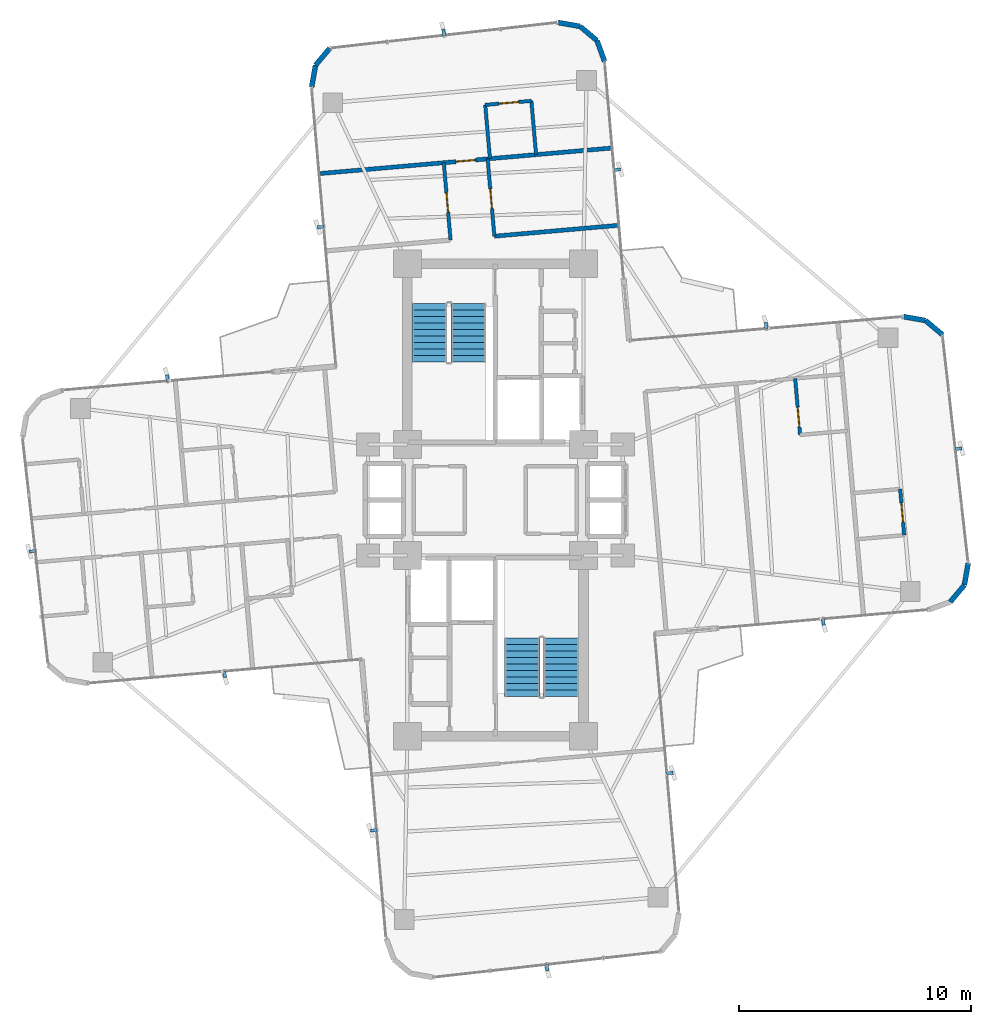
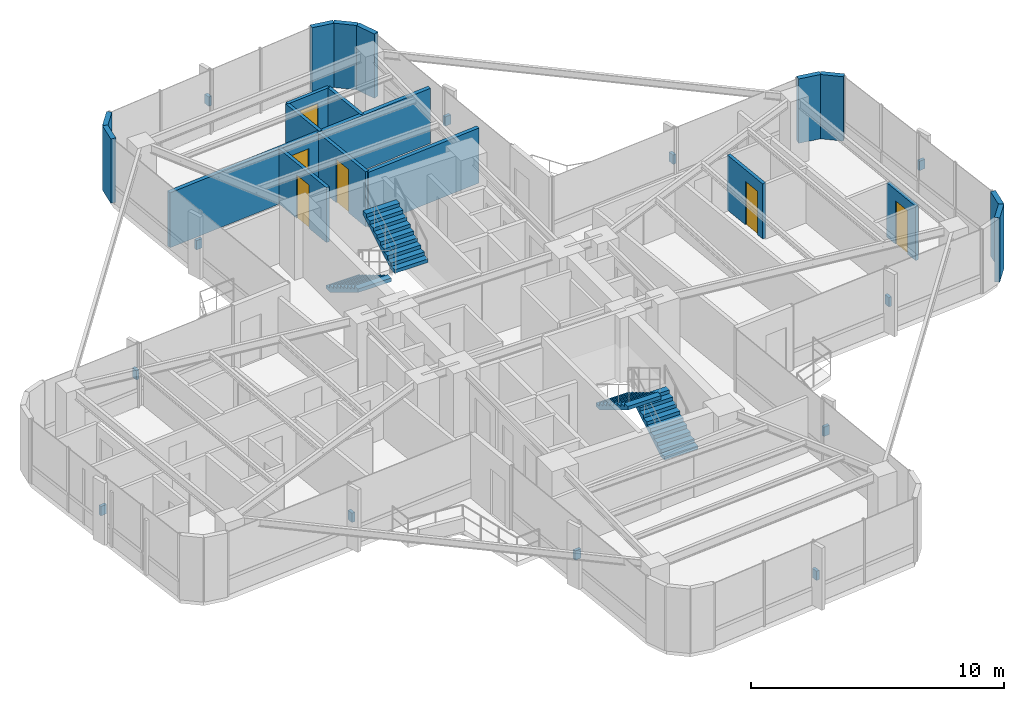
# One storey, part 23 of 24: 18 walls, 12 discrete accessories, 6 doors, 4 stair flights, 6 openings, 2 elements without a shape of their own.
"""IFC4 building model written with IfcOpenShell, lengths in metres."""

from ifc_helpers import new_model, si_unit, direction, frame, frame_2d, origin, origin_2d, place, context, subcontext, project, spatial, polyline, rectangle, outline, extrude, source, transform, mapped, material, layer, layer_set, type_object, element, fill, aggregate, save


model = new_model("IFC4")

# Units and contexts
model_context = context("Model", 3, precision=1e-05, world=origin(), true_north=direction((0.0, 1.0)))
body_context = subcontext(model_context, "Body", "Model", "MODEL_VIEW")
ifc_project = project(units=[si_unit("LENGTHUNIT", "METRE"), si_unit("AREAUNIT", "SQUARE_METRE"), si_unit("VOLUMEUNIT", "CUBIC_METRE"), si_unit("PLANEANGLEUNIT", "RADIAN"), si_unit("MASSUNIT", "GRAM", prefix="KILO")], contexts=[model_context])

# Site, building, storey
site_placement = place(None, origin())
site = spatial("IfcSite", under=ifc_project, at=site_placement, CompositionType="ELEMENT")
building_placement = place(site_placement, origin())
building = spatial("IfcBuilding", under=site, at=building_placement, Name="Sahyath Konkavel Grand Hotel", CompositionType="ELEMENT")
storey_placement = place(building_placement, frame((0.0, 0.0, 153.949951171875)))
storey = spatial("IfcBuildingStorey", under=building, at=storey_placement, Name="L42", CompositionType="ELEMENT", Elevation=153.949951171875)

# Walls
ifc_material_1 = material(Name="Warm Buff Sandstone Insulated Concrete C40/50", Category="masonry")
ifc_layer_1 = layer(ifc_material_1, 0.219970703125)
ifc_layer_set_1 = layer_set([ifc_layer_1], Name="Warm Buff Sandstone Insulated Concrete C40/50")
wall_type_1 = type_object("IfcWallType", Name="WLL-BALC-THRESH", PredefinedType="STANDARD", material=ifc_layer_set_1)
for number, where, z_axis, x_axis, name in (
    (1, (19.6337890625, -4.40771484375, 0.0), (0.0, 0.0, 1.0), (0.642863236823, 0.765980978054, 0.0), "L42 Rounded Corner Sandstone Pier 2"),
    (2, (20.24951171875, -3.674072265625, 0.0), (0.0, 0.0, 1.0), (0.173610811841, 0.984814340885, 0.0), "L42 Rounded Corner Sandstone Pier 3"),
):
    element("IfcWall", number, at=place(storey_placement, frame(where, z_axis=z_axis, x_axis=x_axis)), inside=storey, type_object=wall_type_1, Name=name, PredefinedType="STANDARD", context=body_context, shape_type="SweptSolid", body=[
        extrude(rectangle(XDim=0.957763671875, YDim=0.219970703125, at=frame_2d((0.47900390625, 0.0))), origin(), (0.0, 0.0, 1.0), 3.110107421875),
    ])
wall_1_placement = place(storey_placement, frame((19.3037109375, 7.134521484375, 0.0), z_axis=(0.0, 0.0, 1.0), x_axis=(-0.766001159887, 0.642839189107, 0.0)))
element("IfcWall", 3, at=wall_1_placement, inside=storey, type_object=wall_type_1, Name="L42 Rounded Corner Sandstone Pier 5", PredefinedType="STANDARD", context=body_context, shape_type="SweptSolid", body=[
    extrude(rectangle(XDim=0.95751953125, YDim=0.219970703125, at=frame_2d((0.478759765625, 0.0))), origin(), (0.0, 0.0, 1.0), 3.110107421875),
])
wall_2_placement = place(storey_placement, frame((18.5703125, 7.75, 0.0), z_axis=(0.0, 0.0, 1.0), x_axis=(-0.984770724397, 0.173858046606, 0.0)))
element("IfcWall", 4, at=wall_2_placement, inside=storey, type_object=wall_type_1, Name="L42 Rounded Corner Sandstone Pier 6", PredefinedType="STANDARD", context=body_context, shape_type="SweptSolid", body=[
    extrude(rectangle(XDim=0.957763671875, YDim=0.219970703125, at=frame_2d((0.47900390625, 0.0))), origin(), (0.0, 0.0, 1.0), 3.110107421875),
])
wall_3_placement = place(storey_placement, frame((4.7177734375, 18.93310546875, 0.0), z_axis=(0.0, 0.0, 1.0), x_axis=(-0.34188635151, 0.939741306239, 0.0)))
element("IfcWall", 5, at=wall_3_placement, inside=storey, type_object=wall_type_1, Name="L42 Rounded Corner Sandstone Pier 9", PredefinedType="STANDARD", context=body_context, shape_type="SweptSolid", body=[
    extrude(rectangle(XDim=0.95751953125, YDim=0.219970703125, at=frame_2d((0.478759765625, 0.0))), origin(), (0.0, 0.0, 1.0), 3.110107421875),
])
for number, where, z_axis, x_axis, name in (
    (6, (4.390380859375, 19.8330078125, 0.0), (0.0, 0.0, 1.0), (-0.765980978054, 0.642863236823, 0.0), "L42 Rounded Corner Sandstone Pier 10"),
    (7, (3.65673828125, 20.44873046875, 0.0), (0.0, 0.0, 1.0), (-0.984814340885, 0.173610811841, 0.0), "L42 Rounded Corner Sandstone Pier 11"),
):
    element("IfcWall", number, at=place(storey_placement, frame(where, z_axis=z_axis, x_axis=x_axis)), inside=storey, type_object=wall_type_1, Name=name, PredefinedType="STANDARD", context=body_context, shape_type="SweptSolid", body=[
        extrude(rectangle(XDim=0.957763671875, YDim=0.219970703125, at=frame_2d((0.47900390625, 0.0))), origin(), (0.0, 0.0, 1.0), 3.110107421875),
    ])
for number, where, z_axis, x_axis, name in (
    (8, (-7.152099609375, 19.5029296875, 0.0), (0.0, 0.0, 1.0), (-0.642713642115, -0.766106503196, 0.0), "L42 Rounded Corner Sandstone Pier 13"),
    (9, (-7.767578125, 18.769287109375, 0.0), (0.0, 0.0, 1.0), (-0.173654409999, -0.984806654064, 0.0), "L42 Rounded Corner Sandstone Pier 14"),
):
    element("IfcWall", number, at=place(storey_placement, frame(where, z_axis=z_axis, x_axis=x_axis)), inside=storey, type_object=wall_type_1, Name=name, PredefinedType="STANDARD", context=body_context, shape_type="SweptSolid", body=[
        extrude(rectangle(XDim=0.95751953125, YDim=0.219970703125, at=frame_2d((0.478759765625, 0.0))), origin(), (0.0, 0.0, 1.0), 3.110107421875),
    ])
ifc_material_2 = material(Name="Twin-Stud Acoustic Gypsum Plasterboard Partition")
ifc_layer_2 = layer(ifc_material_2, 0.179931640625)
ifc_layer_set_2 = layer_set([ifc_layer_2], Name="Twin-Stud Acoustic Gypsum Plasterboard Partition")
wall_type_2 = type_object("IfcWallType", Name="WLL-DEMISE-180", PredefinedType="PARTITIONING", material=ifc_layer_set_2)
wall_4_placement = place(storey_placement, frame((5.286865234375, 11.85595703125, 0.0), z_axis=(0.0, 0.0, 1.0), x_axis=(-0.996194212812, -0.087161289348, 0.0)))
element("IfcWall", 10, at=wall_4_placement, inside=storey, type_object=wall_type_2, Name="L42 Partition N-INR", PredefinedType="PARTITIONING", context=body_context, shape_type="SweptSolid", body=[
    extrude(rectangle(XDim=5.349853515625, YDim=0.179931640625, at=frame_2d((2.6748046875, 0.0))), origin(), (0.0, 0.0, 1.0), 2.66015625),
])

# Wall, opening, door
wall_5_placement = place(storey_placement, frame((4.994873046875, 15.193115234375, 0.0), z_axis=(0.0, 0.0, 1.0), x_axis=(-0.996194790044, -0.087154691724, 0.0)))
wall_5 = element("IfcWall", 11, at=wall_5_placement, inside=storey, type_object=wall_type_2, Name="L42 Partition N-NTIP-END", PredefinedType="PARTITIONING", context=body_context, shape_type="SweptSolid", body=[
    extrude(rectangle(XDim=12.599853515625, YDim=0.179931640625, at=frame_2d((6.2998046875, 0.0))), origin(), (0.0, 0.0, 1.0), 2.66015625),
])
opening_1_placement = place(wall_5_placement, frame((5.875, 0.0, 0.0)))
opening_1 = element("IfcOpeningElement", 12, at=opening_1_placement, cuts=wall_5, Name="Opening D-F06D", PredefinedType="OPENING", context=body_context, shape_type="SweptSolid", body=[
    extrude(rectangle(XDim=0.85009765625, YDim=2.10009765625, at=frame_2d((0.425048828125, 1.050048828125))), frame((0.0, 0.10009765625, 0.0), z_axis=(0.0, -1.0, 0.0), x_axis=(1.0, 0.0, 0.0)), (0.0, 0.0, 1.0), 0.199951171875),
])
ifc_material_3 = material(Name="Fire-Rated Shaft Access Door")
door_type_1 = type_object("IfcDoorType", Name="DR-FD60-850", OperationType="NOTDEFINED", PredefinedType="DOOR", material=ifc_material_3)
shared_shape_1 = source(origin(), body_context, "Body", "SweptSolid", [
    extrude(rectangle(XDim=0.85009765625, YDim=0.050048828125, at=origin_2d()), origin(), (0.0, 0.0, 1.0), 2.10009765625),
])
door_1_placement = place(opening_1_placement, frame((0.425048828125, 0.0, 0.0)))
door_1 = element("IfcDoor", 13, at=door_1_placement, inside=storey, type_object=door_type_1, Name="L42 Door N-NTIP-ED", OperationType="SINGLE_SWING_RIGHT", OverallHeight=2.10009765625, OverallWidth=0.85009765625, PredefinedType="DOOR", context=body_context, shape_type="MappedRepresentation", body=[
    mapped(shared_shape_1, transform((0.0, 0.0, 0.0), scale=1.0)),
])
fill(opening_1, door_1)

ifc_material_4 = material(Name="Fire-Rated Gypsum Plasterboard Partition")
ifc_layer_3 = layer(ifc_material_4, 0.14990234375)
ifc_layer_set_3 = layer_set([ifc_layer_3], Name="Fire-Rated Gypsum Plasterboard Partition")
wall_type_3 = type_object("IfcWallType", Name="WLL-PART-150", PredefinedType="PARTITIONING", material=ifc_layer_set_3)
wall_6_placement = place(storey_placement, frame((12.94189453125, 5.247802734375, 0.0), z_axis=(0.0, 0.0, 1.0), x_axis=(0.087201565829, -0.99619068803, 0.0)))
wall_6 = element("IfcWall", 14, at=wall_6_placement, inside=storey, type_object=wall_type_3, Name="L42 Partition E-ED2-BS", PredefinedType="PARTITIONING", context=body_context, shape_type="SweptSolid", body=[
    extrude(rectangle(XDim=2.44970703125, YDim=0.14990234375, at=frame_2d((1.224853515625, 0.0))), origin(), (0.0, 0.0, 1.0), 2.66015625),
])
opening_2_placement = place(wall_6_placement, frame((1.25, 0.0, 0.0)))
opening_2 = element("IfcOpeningElement", 15, at=opening_2_placement, cuts=wall_6, Name="Opening D-BT85", PredefinedType="OPENING", context=body_context, shape_type="SweptSolid", body=[
    extrude(rectangle(XDim=0.85009765625, YDim=2.10009765625, at=frame_2d((0.425048828125, 1.050048828125))), frame((0.0, 0.0849609375, 0.0), z_axis=(0.0, -1.0, 0.0), x_axis=(1.0, 0.0, 0.0)), (0.0, 0.0, 1.0), 0.169921875),
])
ifc_material_5 = material(Name="Moisture-Resistant Teak Bathroom Door")
door_type_2 = type_object("IfcDoorType", Name="DR-BATH-850", OperationType="NOTDEFINED", PredefinedType="DOOR", material=ifc_material_5)
door_2_placement = place(opening_2_placement, frame((0.425048828125, 0.0, 0.0)))
door_2 = element("IfcDoor", 16, at=door_2_placement, inside=storey, type_object=door_type_2, Name="L42 Door E-ED2-BD", OperationType="SINGLE_SWING_LEFT", OverallHeight=2.10009765625, OverallWidth=0.85009765625, PredefinedType="DOOR", context=body_context, shape_type="MappedRepresentation", body=[
    mapped(shared_shape_1, transform((0.0, 0.0, 0.0), scale=1.0)),
])
fill(opening_2, door_2)

wall_7_placement = place(storey_placement, frame((17.6494140625, -1.517578125, 0.0), z_axis=(0.0, 0.0, 1.0), x_axis=(-0.087156350505, 0.99619464492, 0.0)))
wall_7 = element("IfcWall", 17, at=wall_7_placement, inside=storey, type_object=wall_type_3, Name="L42 Partition E-ETIP-BE", PredefinedType="PARTITIONING", context=body_context, shape_type="SweptSolid", body=[
    extrude(rectangle(XDim=2.0, YDim=0.14990234375, at=frame_2d((1.0, 0.0))), origin(), (0.0, 0.0, 1.0), 2.630126953125),
])
opening_3_placement = place(wall_7_placement, frame((0.550048828125, 0.0, 0.0)))
opening_3 = element("IfcOpeningElement", 18, at=opening_3_placement, cuts=wall_7, Name="Opening D-BT85", PredefinedType="OPENING", context=body_context, shape_type="SweptSolid", body=[
    extrude(rectangle(XDim=0.85009765625, YDim=2.10009765625, at=frame_2d((0.425048828125, 1.050048828125))), frame((0.0, 0.0849609375, 0.0), z_axis=(0.0, -1.0, 0.0), x_axis=(1.0, 0.0, 0.0)), (0.0, 0.0, 1.0), 0.169921875),
])
door_3_placement = place(opening_3_placement, frame((0.425048828125, 0.0, 0.0)))
door_3 = element("IfcDoor", 19, at=door_3_placement, inside=storey, type_object=door_type_2, Name="L42 Door E-ETIP-BD", OperationType="SINGLE_SWING_LEFT", OverallHeight=2.10009765625, OverallWidth=0.85009765625, PredefinedType="DOOR", context=body_context, shape_type="MappedRepresentation", body=[
    mapped(shared_shape_1, transform((0.0, 0.0, 0.0), scale=1.0)),
])
fill(opening_3, door_3)

wall_8_placement = place(storey_placement, frame((-1.935546875, 11.22412109375, 0.0), z_axis=(0.0, 0.0, 1.0), x_axis=(-0.087164238054, 0.996193954812, 0.0)))
wall_8 = element("IfcWall", 20, at=wall_8_placement, inside=storey, type_object=wall_type_3, Name="L42 Partition N-CL", PredefinedType="PARTITIONING", context=body_context, shape_type="SweptSolid", body=[
    extrude(rectangle(XDim=3.349853515625, YDim=0.14990234375, at=frame_2d((1.6748046875, 0.0))), origin(), (0.0, 0.0, 1.0), 2.66015625),
])
opening_4_placement = place(wall_8_placement, frame((1.199951171875, 0.0, 0.0)))
opening_4 = element("IfcOpeningElement", 21, at=opening_4_placement, cuts=wall_8, Name="Opening D-F06D", PredefinedType="OPENING", context=body_context, shape_type="SweptSolid", body=[
    extrude(rectangle(XDim=0.85009765625, YDim=2.10009765625, at=frame_2d((0.425048828125, 1.050048828125))), frame((0.0, 0.0849609375, 0.0), z_axis=(0.0, -1.0, 0.0), x_axis=(1.0, 0.0, 0.0)), (0.0, 0.0, 1.0), 0.169921875),
])
door_4_placement = place(opening_4_placement, frame((0.425048828125, 0.0, 0.0)))
door_4 = element("IfcDoor", 22, at=door_4_placement, inside=storey, type_object=door_type_1, Name="L42 Door N-NS3L-D", OperationType="SINGLE_SWING_LEFT", OverallHeight=2.10009765625, OverallWidth=0.85009765625, PredefinedType="DOOR", context=body_context, shape_type="MappedRepresentation", body=[
    mapped(shared_shape_1, transform((0.0, 0.0, 0.0), scale=1.0)),
])
fill(opening_4, door_4)

wall_9_placement = place(storey_placement, frame((-0.042724609375, 11.3896484375, 0.0), z_axis=(0.0, 0.0, 1.0), x_axis=(-0.087164238054, 0.996193954812, 0.0)))
wall_9 = element("IfcWall", 23, at=wall_9_placement, inside=storey, type_object=wall_type_3, Name="L42 Partition N-CR", PredefinedType="PARTITIONING", context=body_context, shape_type="SweptSolid", body=[
    extrude(rectangle(XDim=3.349853515625, YDim=0.14990234375, at=frame_2d((1.6748046875, 0.0))), origin(), (0.0, 0.0, 1.0), 2.66015625),
])
opening_5_placement = place(wall_9_placement, frame((1.199951171875, 0.0, 0.0)))
opening_5 = element("IfcOpeningElement", 24, at=opening_5_placement, cuts=wall_9, Name="Opening D-F06D", PredefinedType="OPENING", context=body_context, shape_type="SweptSolid", body=[
    extrude(rectangle(XDim=0.85009765625, YDim=2.10009765625, at=frame_2d((0.425048828125, 1.050048828125))), frame((0.0, 0.0849609375, 0.0), z_axis=(0.0, -1.0, 0.0), x_axis=(1.0, 0.0, 0.0)), (0.0, 0.0, 1.0), 0.169921875),
])
door_5_placement = place(opening_5_placement, frame((0.425048828125, 0.0, 0.0)))
door_5 = element("IfcDoor", 25, at=door_5_placement, inside=storey, type_object=door_type_1, Name="L42 Door N-NS3R-D", OperationType="SINGLE_SWING_RIGHT", OverallHeight=2.10009765625, OverallWidth=0.85009765625, PredefinedType="DOOR", context=body_context, shape_type="MappedRepresentation", body=[
    mapped(shared_shape_1, transform((0.0, 0.0, 0.0), scale=1.0)),
])
fill(opening_5, door_5)

# Walls
for number, where, z_axis, x_axis, name in (
    (26, (-0.235107421875, 14.735595703125, 0.0), (0.0, 0.0, 1.0), (-0.087144861822, 0.996195649989, 0.0), "L42 Partition N-NTIP-BN"),
    (27, (1.757080078125, 14.909912109375, 0.0), (0.0, 0.0, 1.0), (-0.087144861822, 0.996195649989, 0.0), "L42 Partition N-NTIP-BS"),
):
    element("IfcWall", number, at=place(storey_placement, frame(where, z_axis=z_axis, x_axis=x_axis)), inside=storey, type_object=wall_type_3, Name=name, PredefinedType="PARTITIONING", context=body_context, shape_type="SweptSolid", body=[
        extrude(rectangle(XDim=2.330810546875, YDim=0.14990234375, at=frame_2d((1.16552734375, 0.0))), origin(), (0.0, 0.0, 1.0), 2.66015625),
    ])

# Wall, opening, door
wall_10_placement = place(storey_placement, frame((1.553955078125, 17.23193359375, 0.0), z_axis=(0.0, 0.0, 1.0), x_axis=(-0.996193717496, -0.087166950281, 0.0)))
wall_10 = element("IfcWall", 28, at=wall_10_placement, inside=storey, type_object=wall_type_3, Name="L42 Partition N-NTIP-BE", PredefinedType="PARTITIONING", context=body_context, shape_type="SweptSolid", body=[
    extrude(rectangle(XDim=1.999755859375, YDim=0.14990234375, at=frame_2d((1.0, 0.0))), origin(), (0.0, 0.0, 1.0), 2.66015625),
])
opening_6_placement = place(wall_10_placement, frame((0.550048828125, 0.0, 0.0)))
opening_6 = element("IfcOpeningElement", 29, at=opening_6_placement, cuts=wall_10, Name="Opening D-BT85", PredefinedType="OPENING", context=body_context, shape_type="SweptSolid", body=[
    extrude(rectangle(XDim=0.85009765625, YDim=2.10009765625, at=frame_2d((0.425048828125, 1.050048828125))), frame((0.0, 0.0849609375, 0.0), z_axis=(0.0, -1.0, 0.0), x_axis=(1.0, 0.0, 0.0)), (0.0, 0.0, 1.0), 0.169921875),
])
door_6_placement = place(opening_6_placement, frame((0.425048828125, 0.0, 0.0)))
door_6 = element("IfcDoor", 30, at=door_6_placement, inside=storey, type_object=door_type_2, Name="L42 Door N-NTIP-BD", OperationType="SINGLE_SWING_LEFT", OverallHeight=2.10009765625, OverallWidth=0.85009765625, PredefinedType="DOOR", context=body_context, shape_type="MappedRepresentation", body=[
    mapped(shared_shape_1, transform((0.0, 0.0, 0.0), scale=1.0)),
])
fill(opening_6, door_6)

# Stair, stair flights
ifc_material_6 = material(Name="Concrete C40/50", Category="concrete")
stair_type = type_object("IfcStairType", Name="STR-ST16-335", PredefinedType="HALF_TURN_STAIR", material=ifc_material_6)
stair_1_placement = place(storey_placement, origin())
stair_1 = element("IfcStair", 31, at=stair_1_placement, inside=storey, type_object=stair_type, Name="L42 North Core Smokeproof Exit Stair ST-1", PredefinedType="HALF_TURN_STAIR")
stair_flight_type = type_object("IfcStairFlightType", Name="STF-ST16-335", PredefinedType="STRAIGHT", material=ifc_material_6)
stair_flight_1_placement = place(storey_placement, frame((-2.840087890625, 8.47998046875, 0.0), z_axis=(0.0, 0.0, 1.0), x_axis=(0.0, -1.0, 0.0)))
stair_flight_1 = element("IfcStairFlight", 32, at=stair_flight_1_placement, type_object=stair_flight_type, Name="ST-1 flight 1", NumberOfRisers=10, NumberOfTreads=9, PredefinedType="STRAIGHT", RiserHeight=0.1675, TreadLength=0.28, context=body_context, shape_type="SweptSolid", body=[
    extrude(outline(polyline([(0.0, 0.0), (0.0, 0.16748046875), (0.280029296875, 0.16748046875), (0.280029296875, 0.3349609375), (0.56005859375, 0.3349609375), (0.56005859375, 0.50244140625), (0.840087890625, 0.50244140625), (0.840087890625, 0.669921875), (1.1201171875, 0.669921875), (1.1201171875, 0.83740234375), (1.39990234375, 0.83740234375), (1.39990234375, 1.0048828125), (1.679931640625, 1.0048828125), (1.679931640625, 1.172607421875), (1.9599609375, 1.172607421875), (1.9599609375, 1.340087890625), (2.239990234375, 1.340087890625), (2.239990234375, 1.507568359375), (2.52001953125, 1.507568359375), (2.52001953125, 1.675048828125), (2.52001953125, 1.332763671875), (0.2919921875, 0.0), (0.0, 0.0)])), frame((0.0, 0.760009765625, 0.0), z_axis=(0.0, -1.0, 0.0), x_axis=(1.0, 0.0, 0.0)), (0.0, 0.0, 1.0), 1.52001953125),
])
stair_flight_2_placement = place(storey_placement, frame((-1.159912109375, 5.9599609375, 1.675048828125), z_axis=(0.0, 0.0, 1.0), x_axis=(0.0, 1.0, 0.0)))
stair_flight_2 = element("IfcStairFlight", 33, at=stair_flight_2_placement, type_object=stair_flight_type, Name="ST-1 flight 2", NumberOfRisers=10, NumberOfTreads=9, PredefinedType="STRAIGHT", RiserHeight=0.1675, TreadLength=0.28, context=body_context, shape_type="SweptSolid", body=[
    extrude(outline(polyline([(0.0, 0.0), (0.0, 0.16748046875), (0.280029296875, 0.16748046875), (0.280029296875, 0.3349609375), (0.56005859375, 0.3349609375), (0.56005859375, 0.50244140625), (0.840087890625, 0.50244140625), (0.840087890625, 0.669921875), (1.1201171875, 0.669921875), (1.1201171875, 0.83740234375), (1.39990234375, 0.83740234375), (1.39990234375, 1.0048828125), (1.679931640625, 1.0048828125), (1.679931640625, 1.172607421875), (1.9599609375, 1.172607421875), (1.9599609375, 1.340087890625), (2.239990234375, 1.340087890625), (2.239990234375, 1.507568359375), (2.52001953125, 1.507568359375), (2.52001953125, 1.675048828125), (2.52001953125, 1.332763671875), (0.2919921875, 0.0), (0.0, 0.0)])), frame((0.0, 0.760009765625, 0.0), z_axis=(0.0, -1.0, 0.0), x_axis=(1.0, 0.0, 0.0)), (0.0, 0.0, 1.0), 1.52001953125),
])
aggregate(stair_1, [stair_flight_1, stair_flight_2])

stair_2_placement = place(storey_placement, origin())
stair_2 = element("IfcStair", 34, at=stair_2_placement, inside=storey, type_object=stair_type, Name="L42 South Core Smokeproof Exit Stair ST-2", PredefinedType="HALF_TURN_STAIR")
stair_flight_3_placement = place(storey_placement, frame((2.840087890625, -8.47998046875, 0.0), z_axis=(0.0, 0.0, 1.0), x_axis=(0.0, 1.0, 0.0)))
stair_flight_3 = element("IfcStairFlight", 35, at=stair_flight_3_placement, type_object=stair_flight_type, Name="ST-2 flight 1", NumberOfRisers=10, NumberOfTreads=9, PredefinedType="STRAIGHT", RiserHeight=0.1675, TreadLength=0.28, context=body_context, shape_type="SweptSolid", body=[
    extrude(outline(polyline([(0.0, 0.0), (0.0, 0.16748046875), (0.280029296875, 0.16748046875), (0.280029296875, 0.3349609375), (0.56005859375, 0.3349609375), (0.56005859375, 0.50244140625), (0.840087890625, 0.50244140625), (0.840087890625, 0.669921875), (1.1201171875, 0.669921875), (1.1201171875, 0.83740234375), (1.39990234375, 0.83740234375), (1.39990234375, 1.0048828125), (1.679931640625, 1.0048828125), (1.679931640625, 1.172607421875), (1.9599609375, 1.172607421875), (1.9599609375, 1.340087890625), (2.239990234375, 1.340087890625), (2.239990234375, 1.507568359375), (2.52001953125, 1.507568359375), (2.52001953125, 1.675048828125), (2.52001953125, 1.332763671875), (0.2919921875, 0.0), (0.0, 0.0)])), frame((0.0, 0.760009765625, 0.0), z_axis=(0.0, -1.0, 0.0), x_axis=(1.0, 0.0, 0.0)), (0.0, 0.0, 1.0), 1.52001953125),
])
stair_flight_4_placement = place(storey_placement, frame((1.159912109375, -5.9599609375, 1.675048828125), z_axis=(0.0, 0.0, 1.0), x_axis=(0.0, -1.0, 0.0)))
stair_flight_4 = element("IfcStairFlight", 36, at=stair_flight_4_placement, type_object=stair_flight_type, Name="ST-2 flight 2", NumberOfRisers=10, NumberOfTreads=9, PredefinedType="STRAIGHT", RiserHeight=0.1675, TreadLength=0.28, context=body_context, shape_type="SweptSolid", body=[
    extrude(outline(polyline([(0.0, 0.0), (0.0, 0.16748046875), (0.280029296875, 0.16748046875), (0.280029296875, 0.3349609375), (0.56005859375, 0.3349609375), (0.56005859375, 0.50244140625), (0.840087890625, 0.50244140625), (0.840087890625, 0.669921875), (1.1201171875, 0.669921875), (1.1201171875, 0.83740234375), (1.39990234375, 0.83740234375), (1.39990234375, 1.0048828125), (1.679931640625, 1.0048828125), (1.679931640625, 1.172607421875), (1.9599609375, 1.172607421875), (1.9599609375, 1.340087890625), (2.239990234375, 1.340087890625), (2.239990234375, 1.507568359375), (2.52001953125, 1.507568359375), (2.52001953125, 1.675048828125), (2.52001953125, 1.332763671875), (0.2919921875, 0.0), (0.0, 0.0)])), frame((0.0, 0.760009765625, 0.0), z_axis=(0.0, -1.0, 0.0), x_axis=(1.0, 0.0, 0.0)), (0.0, 0.0, 1.0), 1.52001953125),
])
aggregate(stair_2, [stair_flight_3, stair_flight_4])

# Discrete accessories
ifc_material_7 = material(Name="Steel E350", Category="steel")
discrete_accessory_type = type_object("IfcDiscreteAccessoryType", Name="ACC-FIN-BRACKET", PredefinedType="BRACKET", material=ifc_material_7)
shared_shape_2 = source(origin(), body_context, "Body", "SweptSolid", [
    extrude(rectangle(XDim=0.280029296875, YDim=0.139892578125, at=origin_2d()), origin(), (0.0, 0.0, 1.0), 0.449951171875),
])
for number, where, z_axis, x_axis, name in (
    (37, (14.162841796875, -5.265625, 1.330078125), (0.0, 0.0, 1.0), (0.087155742748, -0.996194698092, 0.0), "L42 Fin Support Bracket F0-1"),
    (38, (19.989013671875, 2.21630859375, 1.330078125), (0.0, 0.0, 1.0), (0.993709417943, 0.111989252568, 0.0), "L42 Fin Support Bracket F4-2"),
    (39, (11.6884765625, 7.52734375, 1.330078125), (0.0, 0.0, 1.0), (-0.087155742748, 0.996194698092, 0.0), "L42 Fin Support Bracket F7-1"),
    (40, (5.2568359375, 14.262451171875, 1.330078125), (0.0, 0.0, 1.0), (0.996194698092, 0.087155742748, 0.0), "L42 Fin Support Bracket F8-1"),
    (41, (-2.23388671875, 20.188232421875, 1.330078125), (0.0, 0.0, 1.0), (-0.112006596052, 0.993707463211, 0.0), "L42 Fin Support Bracket F12-2"),
    (42, (-7.5361328125, 11.7880859375, 1.330078125), (0.0, 0.0, 1.0), (-0.996194698092, -0.087155742748, 0.0), "L42 Fin Support Bracket F15-1"),
    (43, (-14.162841796875, 5.265625, 1.330078125), (0.0, 0.0, 1.0), (-0.087155742748, 0.996194698092, 0.0), "L42 Fin Support Bracket F16-1"),
    (44, (-19.989013671875, -2.21630859375, 1.330078125), (0.0, 0.0, 1.0), (-0.993709417943, -0.111989252568, 0.0), "L42 Fin Support Bracket F20-2"),
    (45, (-11.6884765625, -7.52734375, 1.330078125), (0.0, 0.0, 1.0), (0.087155742748, -0.996194698092, 0.0), "L42 Fin Support Bracket F23-1"),
    (46, (-5.2568359375, -14.262451171875, 1.330078125), (0.0, 0.0, 1.0), (-0.996194698092, -0.087155742748, 0.0), "L42 Fin Support Bracket F24-1"),
    (47, (2.23388671875, -20.188232421875, 1.330078125), (0.0, 0.0, 1.0), (0.112006596052, -0.993707463211, 0.0), "L42 Fin Support Bracket F28-2"),
    (48, (7.5361328125, -11.7880859375, 1.330078125), (0.0, 0.0, 1.0), (0.996194698092, 0.087155742748, 0.0), "L42 Fin Support Bracket F31-1"),
):
    element("IfcDiscreteAccessory", number, at=place(storey_placement, frame(where, z_axis=z_axis, x_axis=x_axis)), inside=storey, type_object=discrete_accessory_type, Name=name, PredefinedType="BRACKET", context=body_context, shape_type="MappedRepresentation", body=[
        mapped(shared_shape_2, transform((0.0, 0.0, 0.0), scale=1.0)),
    ])

save(model, "model.ifc")
